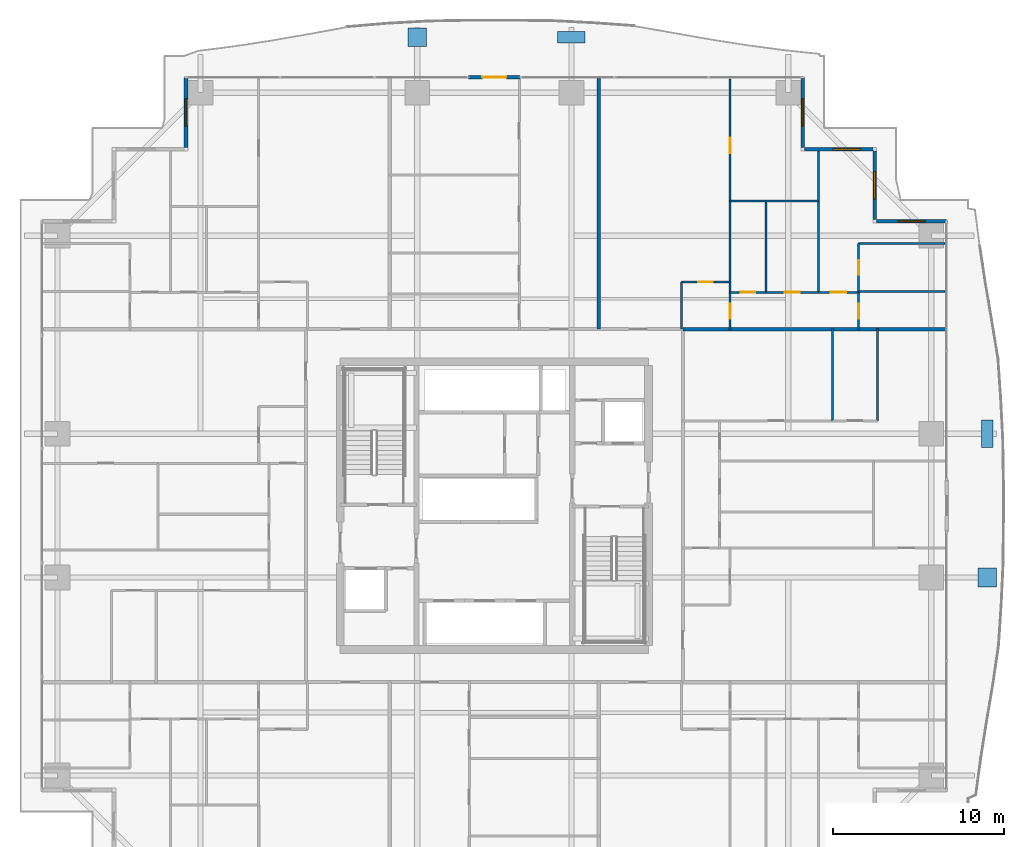
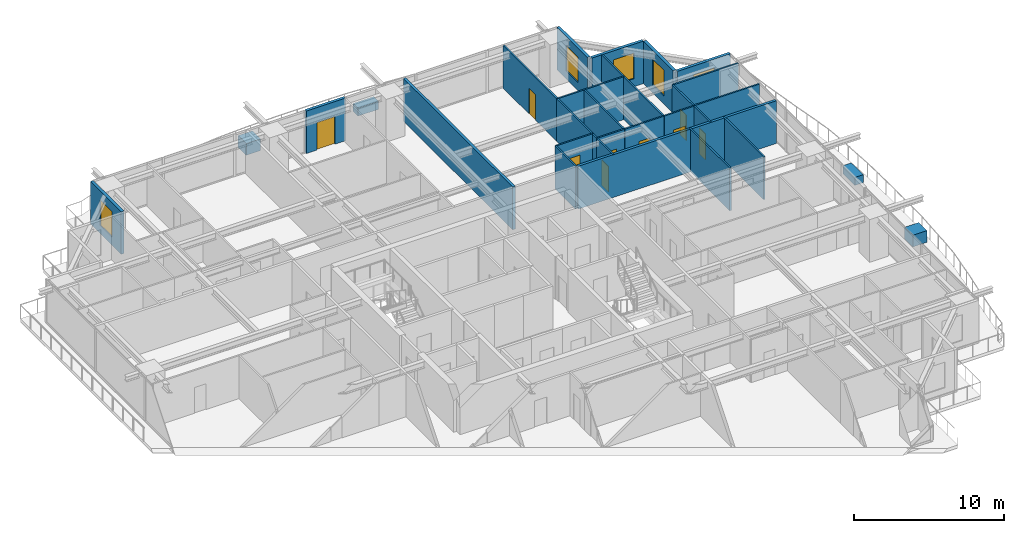
# One storey, part 31 of 37: 25 walls, 9 doors, 5 windows, 4 discrete accessories, 14 openings.
"""IFC4 building model written with IfcOpenShell, lengths in metres."""

from ifc_helpers import new_model, si_unit, direction, frame, frame_2d, origin, origin_2d, place, context, subcontext, project, spatial, rectangle, extrude, source, transform, mapped, material, layer, layer_set, type_object, element, fill, save


model = new_model("IFC4")

# Units and contexts
model_context = context("Model", 3, precision=1e-05, world=origin(), true_north=direction((0.0, 1.0)))
body_context = subcontext(model_context, "Body", "Model", "MODEL_VIEW")
ifc_project = project(units=[si_unit("LENGTHUNIT", "METRE"), si_unit("AREAUNIT", "SQUARE_METRE"), si_unit("VOLUMEUNIT", "CUBIC_METRE"), si_unit("PLANEANGLEUNIT", "RADIAN"), si_unit("MASSUNIT", "GRAM", prefix="KILO")], contexts=[model_context])

# Site, building, storey
site_placement = place(None, origin())
site = spatial("IfcSite", under=ifc_project, at=site_placement, CompositionType="ELEMENT")
building_placement = place(site_placement, origin())
building = spatial("IfcBuilding", under=site, at=building_placement, Name="Serunith Strait Residences", CompositionType="ELEMENT")
storey_placement = place(building_placement, frame((0.0, 0.0, 26.699951171875)))
storey = spatial("IfcBuildingStorey", under=building, at=storey_placement, Name="L05", CompositionType="ELEMENT", Elevation=26.699951171875)

# Wall, opening, window
ifc_material_1 = material(Name="Pale-Champagne Aluminium Insulated Panel", Category="aluminium")
ifc_layer_1 = layer(ifc_material_1, 0.219970703125, Name="Pale-Champagne Aluminium Insulated Panel")
ifc_layer_set_1 = layer_set([ifc_layer_1], Name="Pale-Champagne Aluminium Insulated Panel")
wall_type_1 = type_object("IfcWallType", Name="EW-ALUM-220", PredefinedType="ELEMENTEDWALL", material=ifc_layer_set_1)
wall_1_placement = place(storey_placement, frame((58.800048828125, 41.800048828125, 0.0), z_axis=(0.0, 0.0, 1.0), x_axis=(-1.0, 0.0, 0.0)))
wall_1 = element("IfcWall", 1, at=wall_1_placement, inside=storey, type_object=wall_type_1, Name="L05 Girih Serrated Corner Wall 07", PredefinedType="ELEMENTEDWALL", context=body_context, shape_type="SweptSolid", body=[
    extrude(rectangle(XDim=4.090087890625, YDim=0.219970703125, at=frame_2d((2.044921875, 0.0))), origin(), (0.0, 0.0, 1.0), 3.47509765625),
])
opening_1_placement = place(wall_1_placement, frame((1.2451171875, 0.0, 0.64990234375)))
opening_1 = element("IfcOpeningElement", 2, at=opening_1_placement, cuts=wall_1, Name="Opening W-02", PredefinedType="OPENING", context=body_context, shape_type="SweptSolid", body=[
    extrude(rectangle(XDim=1.60009765625, YDim=2.10009765625, at=frame_2d((0.800048828125, 1.050048828125))), frame((0.0, 0.1201171875, 0.0), z_axis=(0.0, -1.0, 0.0), x_axis=(1.0, 0.0, 0.0)), (0.0, 0.0, 1.0), 0.239990234375),
])
ifc_material_2 = material(Name="Ceramic-Fritted Operable Aluminium Window Glass", Category="aluminium")
window_type = type_object("IfcWindowType", Name="WIN-C2", PartitioningType="DOUBLE_PANEL_VERTICAL", PredefinedType="WINDOW", material=ifc_material_2)
shared_shape_1 = source(origin(), body_context, "Body", "SweptSolid", [
    extrude(rectangle(XDim=1.60009765625, YDim=2.10009765625, at=frame_2d((0.800048828125, 1.050048828125))), frame((0.0, 0.030029296875, 0.0), z_axis=(0.0, -1.0, 0.0), x_axis=(1.0, 0.0, 0.0)), (0.0, 0.0, 1.0), 0.06005859375),
])
window_1_placement = place(opening_1_placement, origin())
window_1 = element("IfcWindow", 3, at=window_1_placement, inside=storey, type_object=window_type, Name="L05 Corner Operable Fritted Window 07", OverallHeight=2.10009765625, OverallWidth=1.60009765625, PartitioningType="SINGLE_PANEL", PredefinedType="WINDOW", context=body_context, shape_type="MappedRepresentation", body=[
    mapped(shared_shape_1, transform((0.0, 0.0, 0.0), scale=1.0)),
])
fill(opening_1, window_1)

wall_2_placement = place(storey_placement, frame((54.60009765625, 41.909912109375, 0.0), z_axis=(0.0, 0.0, 1.0), x_axis=(0.0, 1.0, 0.0)))
wall_2 = element("IfcWall", 4, at=wall_2_placement, inside=storey, type_object=wall_type_1, Name="L05 Girih Serrated Corner Wall 08", PredefinedType="ELEMENTEDWALL", context=body_context, shape_type="SweptSolid", body=[
    extrude(rectangle(XDim=3.97998046875, YDim=0.219970703125, at=frame_2d((1.989990234375, 0.0))), origin(), (0.0, 0.0, 1.0), 3.47509765625),
])
opening_2_placement = place(wall_2_placement, frame((1.18994140625, 0.0, 0.64990234375)))
opening_2 = element("IfcOpeningElement", 5, at=opening_2_placement, cuts=wall_2, Name="Opening W-02", PredefinedType="OPENING", context=body_context, shape_type="SweptSolid", body=[
    extrude(rectangle(XDim=1.60009765625, YDim=2.10009765625, at=frame_2d((0.800048828125, 1.050048828125))), frame((0.0, 0.1201171875, 0.0), z_axis=(0.0, -1.0, 0.0), x_axis=(1.0, 0.0, 0.0)), (0.0, 0.0, 1.0), 0.239990234375),
])
window_2_placement = place(opening_2_placement, origin())
window_2 = element("IfcWindow", 6, at=window_2_placement, inside=storey, type_object=window_type, Name="L05 Corner Operable Fritted Window 08", OverallHeight=2.10009765625, OverallWidth=1.60009765625, PartitioningType="SINGLE_PANEL", PredefinedType="WINDOW", context=body_context, shape_type="MappedRepresentation", body=[
    mapped(shared_shape_1, transform((0.0, 0.0, 0.0), scale=1.0)),
])
fill(opening_2, window_2)

wall_3_placement = place(storey_placement, frame((54.489990234375, 46.0, 0.0), z_axis=(0.0, 0.0, 1.0), x_axis=(-1.0, 0.0, 0.0)))
wall_3 = element("IfcWall", 7, at=wall_3_placement, inside=storey, type_object=wall_type_1, Name="L05 Girih Serrated Corner Wall 09", PredefinedType="ELEMENTEDWALL", context=body_context, shape_type="SweptSolid", body=[
    extrude(rectangle(XDim=3.97998046875, YDim=0.219970703125, at=frame_2d((1.989990234375, 0.0))), origin(), (0.0, 0.0, 1.0), 3.47509765625),
])
opening_3_placement = place(wall_3_placement, frame((0.714111328125, 0.0, 0.64990234375)))
opening_3 = element("IfcOpeningElement", 8, at=opening_3_placement, cuts=wall_3, Name="Opening W-02", PredefinedType="OPENING", context=body_context, shape_type="SweptSolid", body=[
    extrude(rectangle(XDim=1.60009765625, YDim=2.10009765625, at=frame_2d((0.800048828125, 1.050048828125))), frame((0.0, 0.1201171875, 0.0), z_axis=(0.0, -1.0, 0.0), x_axis=(1.0, 0.0, 0.0)), (0.0, 0.0, 1.0), 0.239990234375),
])
window_3_placement = place(opening_3_placement, origin())
window_3 = element("IfcWindow", 9, at=window_3_placement, inside=storey, type_object=window_type, Name="L05 Corner Operable Fritted Window 09", OverallHeight=2.10009765625, OverallWidth=1.60009765625, PartitioningType="SINGLE_PANEL", PredefinedType="WINDOW", context=body_context, shape_type="MappedRepresentation", body=[
    mapped(shared_shape_1, transform((0.0, 0.0, 0.0), scale=1.0)),
])
fill(opening_3, window_3)

wall_4_placement = place(storey_placement, frame((50.39990234375, 46.110107421875, 0.0), z_axis=(0.0, 0.0, 1.0), x_axis=(0.0, 1.0, 0.0)))
wall_4 = element("IfcWall", 10, at=wall_4_placement, inside=storey, type_object=wall_type_1, Name="L05 Girih Serrated Corner Wall 10", PredefinedType="ELEMENTEDWALL", context=body_context, shape_type="SweptSolid", body=[
    extrude(rectangle(XDim=4.08984375, YDim=0.219970703125, at=frame_2d((2.044921875, 0.0))), origin(), (0.0, 0.0, 1.0), 3.47509765625),
])
opening_4_placement = place(wall_4_placement, frame((1.2451171875, 0.0, 0.64990234375)))
opening_4 = element("IfcOpeningElement", 11, at=opening_4_placement, cuts=wall_4, Name="Opening W-02", PredefinedType="OPENING", context=body_context, shape_type="SweptSolid", body=[
    extrude(rectangle(XDim=1.60009765625, YDim=2.10009765625, at=frame_2d((0.800048828125, 1.050048828125))), frame((0.0, 0.1201171875, 0.0), z_axis=(0.0, -1.0, 0.0), x_axis=(1.0, 0.0, 0.0)), (0.0, 0.0, 1.0), 0.239990234375),
])
window_4_placement = place(opening_4_placement, origin())
window_4 = element("IfcWindow", 12, at=window_4_placement, inside=storey, type_object=window_type, Name="L05 Corner Operable Fritted Window 10", OverallHeight=2.10009765625, OverallWidth=1.60009765625, PartitioningType="SINGLE_PANEL", PredefinedType="WINDOW", context=body_context, shape_type="MappedRepresentation", body=[
    mapped(shared_shape_1, transform((0.0, 0.0, 0.0), scale=1.0)),
])
fill(opening_4, window_4)

# Wall, opening, door
wall_5_placement = place(storey_placement, frame((33.89990234375, 50.199951171875, 0.0), z_axis=(0.0, 0.0, 1.0), x_axis=(-1.0, 0.0, 0.0)))
wall_5 = element("IfcWall", 13, at=wall_5_placement, inside=storey, type_object=wall_type_1, Name="L05 N Facade Pier Wall", PredefinedType="ELEMENTEDWALL", context=body_context, shape_type="SweptSolid", body=[
    extrude(rectangle(XDim=3.0, YDim=0.219970703125, at=frame_2d((1.5, 0.0))), origin(), (0.0, 0.0, 1.0), 3.47509765625),
])
opening_5_placement = place(wall_5_placement, frame((0.800048828125, 0.0, 0.0)))
opening_5 = element("IfcOpeningElement", 14, at=opening_5_placement, cuts=wall_5, Name="Opening ED-04", PredefinedType="OPENING", context=body_context, shape_type="SweptSolid", body=[
    extrude(rectangle(XDim=1.39990234375, YDim=2.25, at=frame_2d((0.699951171875, 1.125))), frame((0.0, 0.1201171875, 0.0), z_axis=(0.0, -1.0, 0.0), x_axis=(1.0, 0.0, 0.0)), (0.0, 0.0, 1.0), 0.239990234375),
])
ifc_material_3 = material(Name="Thermally-Broken Aluminium Sliding Balcony Door", Category="aluminium")
door_type_1 = type_object("IfcDoorType", Name="ED-BALC-1400", OperationType="NOTDEFINED", PredefinedType="DOOR", material=ifc_material_3)
shared_shape_2 = source(origin(), body_context, "Body", "SweptSolid", [
    extrude(rectangle(XDim=1.39990234375, YDim=2.25, at=frame_2d((0.699951171875, 1.125))), frame((0.0, 0.02490234375, 0.0), z_axis=(0.0, -1.0, 0.0), x_axis=(1.0, 0.0, 0.0)), (0.0, 0.0, 1.0), 0.050048828125),
])
door_1_placement = place(opening_5_placement, origin())
door_1 = element("IfcDoor", 15, at=door_1_placement, inside=storey, type_object=door_type_1, Name="L05 N Vertical-Forest Balcony Door", OperationType="SLIDING_TO_LEFT", OverallHeight=2.25, OverallWidth=1.39990234375, PredefinedType="DOOR", context=body_context, shape_type="MappedRepresentation", body=[
    mapped(shared_shape_2, transform((0.0, 0.0, 0.0), scale=1.0)),
])
fill(opening_5, door_1)

# Wall, opening, window
wall_6_placement = place(storey_placement, frame((14.39990234375, 50.199951171875, 0.0), z_axis=(0.0, 0.0, 1.0), x_axis=(0.0, -1.0, 0.0)))
wall_6 = element("IfcWall", 16, at=wall_6_placement, inside=storey, type_object=wall_type_1, Name="L05 Girih Serrated Corner Wall 12", PredefinedType="ELEMENTEDWALL", context=body_context, shape_type="SweptSolid", body=[
    extrude(rectangle(XDim=4.08984375, YDim=0.219970703125, at=frame_2d((2.044921875, 0.0))), origin(), (0.0, 0.0, 1.0), 3.47509765625),
])
opening_6_placement = place(wall_6_placement, frame((1.2451171875, 0.0, 0.64990234375)))
opening_6 = element("IfcOpeningElement", 17, at=opening_6_placement, cuts=wall_6, Name="Opening W-02", PredefinedType="OPENING", context=body_context, shape_type="SweptSolid", body=[
    extrude(rectangle(XDim=1.60009765625, YDim=2.10009765625, at=frame_2d((0.800048828125, 1.050048828125))), frame((0.0, 0.1201171875, 0.0), z_axis=(0.0, -1.0, 0.0), x_axis=(1.0, 0.0, 0.0)), (0.0, 0.0, 1.0), 0.239990234375),
])
window_5_placement = place(opening_6_placement, origin())
window_5 = element("IfcWindow", 18, at=window_5_placement, inside=storey, type_object=window_type, Name="L05 Corner Operable Fritted Window 12", OverallHeight=2.10009765625, OverallWidth=1.60009765625, PartitioningType="SINGLE_PANEL", PredefinedType="WINDOW", context=body_context, shape_type="MappedRepresentation", body=[
    mapped(shared_shape_1, transform((0.0, 0.0, 0.0), scale=1.0)),
])
fill(opening_6, window_5)

# Wall, opening, door
ifc_material_4 = material(Name="Lightweight steel-stud gypsum partition", Category="steel")
ifc_layer_2 = layer(ifc_material_4, 0.1201171875, Name="Lightweight steel-stud gypsum partition")
ifc_layer_set_2 = layer_set([ifc_layer_2], Name="Lightweight steel-stud gypsum partition")
wall_type_2 = type_object("IfcWallType", Name="IW-PART-120", PredefinedType="PARTITIONING", material=ifc_layer_set_2)
wall_7_placement = place(storey_placement, frame((43.31005859375, 38.25, 0.0), z_axis=(0.0, 0.0, 1.0), x_axis=(1.0, 0.0, 0.0)))
wall_7 = element("IfcWall", 19, at=wall_7_placement, inside=storey, type_object=wall_type_2, Name="L05 Partition Wall 086", PredefinedType="PARTITIONING", context=body_context, shape_type="SweptSolid", body=[
    extrude(rectangle(XDim=2.849853515625, YDim=0.1201171875, at=frame_2d((1.4248046875, 0.0))), origin(), (0.0, 0.0, 1.0), 3.489990234375),
])
opening_7_placement = place(wall_7_placement, frame((1.0, 0.0, 0.0)))
opening_7 = element("IfcOpeningElement", 20, at=opening_7_placement, cuts=wall_7, Name="Opening D-RM850", PredefinedType="OPENING", context=body_context, shape_type="SweptSolid", body=[
    extrude(rectangle(XDim=0.85009765625, YDim=2.10009765625, at=frame_2d((0.425048828125, 1.050048828125))), frame((0.0, 0.070068359375, 0.0), z_axis=(0.0, -1.0, 0.0), x_axis=(1.0, 0.0, 0.0)), (0.0, 0.0, 1.0), 0.14013671875),
])
ifc_material_5 = material(Name="Engineered timber flush study and kitchen door", Category="wood")
door_type_2 = type_object("IfcDoorType", Name="ID-ROOM-850", OperationType="NOTDEFINED", PredefinedType="DOOR", material=ifc_material_5)
shared_shape_3 = source(origin(), body_context, "Body", "SweptSolid", [
    extrude(rectangle(XDim=0.85009765625, YDim=2.10009765625, at=frame_2d((0.425048828125, 1.050048828125))), frame((0.0, 0.02490234375, 0.0), z_axis=(0.0, -1.0, 0.0), x_axis=(1.0, 0.0, 0.0)), (0.0, 0.0, 1.0), 0.050048828125),
])
door_2_placement = place(opening_7_placement, origin())
door_2 = element("IfcDoor", 21, at=door_2_placement, inside=storey, type_object=door_type_2, Name="L05 Kitchen 0506 Door", OperationType="SINGLE_SWING_LEFT", OverallHeight=2.10009765625, OverallWidth=0.85009765625, PredefinedType="DOOR", context=body_context, shape_type="MappedRepresentation", body=[
    mapped(shared_shape_3, transform((0.0, 0.0, 0.0), scale=1.0)),
])
fill(opening_7, door_2)

# Wall
wall_8_placement = place(storey_placement, frame((43.31005859375, 38.25, 0.0), z_axis=(0.0, 0.0, 1.0), x_axis=(0.0, -1.0, 0.0)))
element("IfcWall", 22, at=wall_8_placement, inside=storey, type_object=wall_type_2, Name="L05 Partition Wall 087", PredefinedType="PARTITIONING", context=body_context, shape_type="SweptSolid", body=[
    extrude(rectangle(XDim=2.748046875, YDim=0.1201171875, at=frame_2d((1.3740234375, 0.0))), origin(), (0.0, 0.0, 1.0), 3.489990234375),
])

# Wall, opening, door
wall_9_placement = place(storey_placement, frame((46.159912109375, 37.64990234375, 0.0), z_axis=(0.0, 0.0, 1.0), x_axis=(0.0, -1.0, 0.0)))
wall_9 = element("IfcWall", 23, at=wall_9_placement, inside=storey, type_object=wall_type_2, Name="L05 Partition Wall 088", PredefinedType="PARTITIONING", context=body_context, shape_type="SweptSolid", body=[
    extrude(rectangle(XDim=2.2099609375, YDim=0.1201171875, at=frame_2d((1.10498046875, 0.0))), origin(), (0.0, 0.0, 1.0), 3.489990234375),
])
opening_8_placement = place(wall_9_placement, frame((0.655029296875, 0.0, 0.0)))
opening_8 = element("IfcOpeningElement", 24, at=opening_8_placement, cuts=wall_9, Name="Opening D-RM900", PredefinedType="OPENING", context=body_context, shape_type="SweptSolid", body=[
    extrude(rectangle(XDim=0.89990234375, YDim=2.10009765625, at=frame_2d((0.449951171875, 1.050048828125))), frame((0.0, 0.070068359375, 0.0), z_axis=(0.0, -1.0, 0.0), x_axis=(1.0, 0.0, 0.0)), (0.0, 0.0, 1.0), 0.14013671875),
])
ifc_material_6 = material(Name="Engineered timber flush bedroom door", Category="wood")
door_type_3 = type_object("IfcDoorType", Name="ID-ROOM-900", OperationType="NOTDEFINED", PredefinedType="DOOR", material=ifc_material_6)
shared_shape_4 = source(origin(), body_context, "Body", "SweptSolid", [
    extrude(rectangle(XDim=0.89990234375, YDim=2.10009765625, at=frame_2d((0.449951171875, 1.050048828125))), frame((0.0, 0.02490234375, 0.0), z_axis=(0.0, -1.0, 0.0), x_axis=(1.0, 0.0, 0.0)), (0.0, 0.0, 1.0), 0.050048828125),
])
door_3_placement = place(opening_8_placement, origin())
door_3 = element("IfcDoor", 25, at=door_3_placement, inside=storey, type_object=door_type_3, Name="L05 Hall E 0506 Door", OperationType="SINGLE_SWING_RIGHT", OverallHeight=2.10009765625, OverallWidth=0.89990234375, PredefinedType="DOOR", context=body_context, shape_type="MappedRepresentation", body=[
    mapped(shared_shape_4, transform((0.0, 0.0, 0.0), scale=1.0)),
])
fill(opening_8, door_3)

wall_10_placement = place(storey_placement, frame((46.159912109375, 50.10498046875, 0.0), z_axis=(0.0, 0.0, 1.0), x_axis=(0.0, -1.0, 0.0)))
wall_10 = element("IfcWall", 26, at=wall_10_placement, inside=storey, type_object=wall_type_2, Name="L05 Partition Wall 089", PredefinedType="PARTITIONING", context=body_context, shape_type="SweptSolid", body=[
    extrude(rectangle(XDim=7.135986328125, YDim=0.1201171875, at=frame_2d((3.56787109375, 0.0))), origin(), (0.0, 0.0, 1.0), 3.489990234375),
])
opening_9_placement = place(wall_10_placement, frame((3.429931640625, 0.0, 0.0)))
opening_9 = element("IfcOpeningElement", 27, at=opening_9_placement, cuts=wall_10, Name="Opening D-RM900", PredefinedType="OPENING", context=body_context, shape_type="SweptSolid", body=[
    extrude(rectangle(XDim=0.89990234375, YDim=2.10009765625, at=frame_2d((0.449951171875, 1.050048828125))), frame((0.0, 0.070068359375, 0.0), z_axis=(0.0, -1.0, 0.0), x_axis=(1.0, 0.0, 0.0)), (0.0, 0.0, 1.0), 0.14013671875),
])
door_4_placement = place(opening_9_placement, origin())
door_4 = element("IfcDoor", 28, at=door_4_placement, inside=storey, type_object=door_type_3, Name="L05 Formal Dining Room 1 0506 Door", OperationType="SINGLE_SWING_LEFT", OverallHeight=2.10009765625, OverallWidth=0.89990234375, PredefinedType="DOOR", context=body_context, shape_type="MappedRepresentation", body=[
    mapped(shared_shape_4, transform((0.0, 0.0, 0.0), scale=1.0)),
])
fill(opening_9, door_4)

# Walls
wall_11_placement = place(storey_placement, frame((46.159912109375, 42.967041015625, 0.0), z_axis=(0.0, 0.0, 1.0), x_axis=(0.0, -1.0, 0.0)))
element("IfcWall", 29, at=wall_11_placement, inside=storey, type_object=wall_type_2, Name="L05 Partition Wall 090", PredefinedType="PARTITIONING", context=body_context, shape_type="SweptSolid", body=[
    extrude(rectangle(XDim=5.31494140625, YDim=0.1201171875, at=frame_2d((2.657470703125, 0.0))), origin(), (0.0, 0.0, 1.0), 3.489990234375),
])
wall_12_placement = place(storey_placement, frame((46.159912109375, 42.968994140625, 0.0), z_axis=(0.0, 0.0, 1.0), x_axis=(1.0, 0.0, 0.0)))
element("IfcWall", 30, at=wall_12_placement, inside=storey, type_object=wall_type_2, Name="L05 Partition Wall 091", PredefinedType="PARTITIONING", context=body_context, shape_type="SweptSolid", body=[
    extrude(rectangle(XDim=5.150146484375, YDim=0.1201171875, at=frame_2d((2.5751953125, 0.0))), origin(), (0.0, 0.0, 1.0), 3.489990234375),
])
wall_13_placement = place(storey_placement, frame((51.31005859375, 45.905029296875, 0.0), z_axis=(0.0, 0.0, 1.0), x_axis=(0.0, -1.0, 0.0)))
element("IfcWall", 31, at=wall_13_placement, inside=storey, type_object=wall_type_2, Name="L05 Partition Wall 092", PredefinedType="PARTITIONING", context=body_context, shape_type="SweptSolid", body=[
    extrude(rectangle(XDim=8.255126953125, YDim=0.1201171875, at=frame_2d((4.12744140625, 0.0))), origin(), (0.0, 0.0, 1.0), 3.489990234375),
])
wall_14_placement = place(storey_placement, frame((48.260009765625, 42.968994140625, 0.0), z_axis=(0.0, 0.0, 1.0), x_axis=(0.0, -1.0, 0.0)))
element("IfcWall", 32, at=wall_14_placement, inside=storey, type_object=wall_type_2, Name="L05 Partition Wall 093", PredefinedType="PARTITIONING", context=body_context, shape_type="SweptSolid", body=[
    extrude(rectangle(XDim=5.319091796875, YDim=0.1201171875, at=frame_2d((2.65966796875, 0.0))), origin(), (0.0, 0.0, 1.0), 3.489990234375),
])

# Wall, opening, door
wall_15_placement = place(storey_placement, frame((46.159912109375, 37.64990234375, 0.0), z_axis=(0.0, 0.0, 1.0), x_axis=(1.0, 0.0, 0.0)))
wall_15 = element("IfcWall", 33, at=wall_15_placement, inside=storey, type_object=wall_type_2, Name="L05 Partition Wall 094", PredefinedType="PARTITIONING", context=body_context, shape_type="SweptSolid", body=[
    extrude(rectangle(XDim=2.10009765625, YDim=0.1201171875, at=frame_2d((1.050048828125, 0.0))), origin(), (0.0, 0.0, 1.0), 3.489990234375),
])
opening_10_placement = place(wall_15_placement, frame((0.625, 0.0, 0.0)))
opening_10 = element("IfcOpeningElement", 34, at=opening_10_placement, cuts=wall_15, Name="Opening D-BTH850", PredefinedType="OPENING", context=body_context, shape_type="SweptSolid", body=[
    extrude(rectangle(XDim=0.85009765625, YDim=2.10009765625, at=frame_2d((0.425048828125, 1.050048828125))), frame((0.0, 0.070068359375, 0.0), z_axis=(0.0, -1.0, 0.0), x_axis=(1.0, 0.0, 0.0)), (0.0, 0.0, 1.0), 0.14013671875),
])
ifc_material_7 = material(Name="Moisture-resistant timber bathroom door", Category="wood")
door_type_4 = type_object("IfcDoorType", Name="ID-BATH-850", OperationType="NOTDEFINED", PredefinedType="DOOR", material=ifc_material_7)
door_5_placement = place(opening_10_placement, origin())
door_5 = element("IfcDoor", 35, at=door_5_placement, inside=storey, type_object=door_type_4, Name="L05 Bathroom 0506 Door", OperationType="SINGLE_SWING_RIGHT", OverallHeight=2.10009765625, OverallWidth=0.85009765625, PredefinedType="DOOR", context=body_context, shape_type="MappedRepresentation", body=[
    mapped(shared_shape_3, transform((0.0, 0.0, 0.0), scale=1.0)),
])
fill(opening_10, door_5)

wall_16_placement = place(storey_placement, frame((48.261962890625, 37.64990234375, 0.0), z_axis=(0.0, 0.0, 1.0), x_axis=(1.0, 0.0, 0.0)))
wall_16 = element("IfcWall", 36, at=wall_16_placement, inside=storey, type_object=wall_type_2, Name="L05 Partition Wall 095", PredefinedType="PARTITIONING", context=body_context, shape_type="SweptSolid", body=[
    extrude(rectangle(XDim=3.048095703125, YDim=0.1201171875, at=frame_2d((1.52392578125, 0.0))), origin(), (0.0, 0.0, 1.0), 3.489990234375),
])
opening_11_placement = place(wall_16_placement, frame((1.09912109375, 0.0, 0.0)))
opening_11 = element("IfcOpeningElement", 37, at=opening_11_placement, cuts=wall_16, Name="Opening D-RM850", PredefinedType="OPENING", context=body_context, shape_type="SweptSolid", body=[
    extrude(rectangle(XDim=0.85009765625, YDim=2.10009765625, at=frame_2d((0.425048828125, 1.050048828125))), frame((0.0, 0.070068359375, 0.0), z_axis=(0.0, -1.0, 0.0), x_axis=(1.0, 0.0, 0.0)), (0.0, 0.0, 1.0), 0.14013671875),
])
door_6_placement = place(opening_11_placement, origin())
door_6 = element("IfcDoor", 38, at=door_6_placement, inside=storey, type_object=door_type_2, Name="L05 Formal Dining Room 0506 Door", OperationType="SINGLE_SWING_LEFT", OverallHeight=2.10009765625, OverallWidth=0.85009765625, PredefinedType="DOOR", context=body_context, shape_type="MappedRepresentation", body=[
    mapped(shared_shape_3, transform((0.0, 0.0, 0.0), scale=1.0)),
])
fill(opening_11, door_6)

wall_17_placement = place(storey_placement, frame((51.31201171875, 37.64990234375, 0.0), z_axis=(0.0, 0.0, 1.0), x_axis=(1.0, 0.0, 0.0)))
wall_17 = element("IfcWall", 39, at=wall_17_placement, inside=storey, type_object=wall_type_2, Name="L05 Partition Wall 096", PredefinedType="PARTITIONING", context=body_context, shape_type="SweptSolid", body=[
    extrude(rectangle(XDim=2.347900390625, YDim=0.1201171875, at=frame_2d((1.173828125, 0.0))), origin(), (0.0, 0.0, 1.0), 3.489990234375),
])
opening_12_placement = place(wall_17_placement, frame((0.72412109375, 0.0, 0.0)))
opening_12 = element("IfcOpeningElement", 40, at=opening_12_placement, cuts=wall_17, Name="Opening D-RM900", PredefinedType="OPENING", context=body_context, shape_type="SweptSolid", body=[
    extrude(rectangle(XDim=0.89990234375, YDim=2.10009765625, at=frame_2d((0.449951171875, 1.050048828125))), frame((0.0, 0.070068359375, 0.0), z_axis=(0.0, -1.0, 0.0), x_axis=(1.0, 0.0, 0.0)), (0.0, 0.0, 1.0), 0.14013671875),
])
door_7_placement = place(opening_12_placement, origin())
door_7 = element("IfcDoor", 41, at=door_7_placement, inside=storey, type_object=door_type_3, Name="L05 Master Bedroom E 0506 Door", OperationType="SINGLE_SWING_RIGHT", OverallHeight=2.10009765625, OverallWidth=0.89990234375, PredefinedType="DOOR", context=body_context, shape_type="MappedRepresentation", body=[
    mapped(shared_shape_4, transform((0.0, 0.0, 0.0), scale=1.0)),
])
fill(opening_12, door_7)

# Walls
wall_18_placement = place(storey_placement, frame((53.659912109375, 40.506103515625, 0.0), z_axis=(0.0, 0.0, 1.0), x_axis=(1.0, 0.0, 0.0)))
element("IfcWall", 42, at=wall_18_placement, inside=storey, type_object=wall_type_2, Name="L05 Partition Wall 097", PredefinedType="PARTITIONING", context=body_context, shape_type="SweptSolid", body=[
    extrude(rectangle(XDim=5.045166015625, YDim=0.1201171875, at=frame_2d((2.5224609375, 0.0))), origin(), (0.0, 0.0, 1.0), 3.489990234375),
])
wall_19_placement = place(storey_placement, frame((53.662109375, 37.697998046875, 0.0), z_axis=(0.0, 0.0, 1.0), x_axis=(1.0, 0.0, 0.0)))
element("IfcWall", 43, at=wall_19_placement, inside=storey, type_object=wall_type_2, Name="L05 Partition Wall 098", PredefinedType="PARTITIONING", context=body_context, shape_type="SweptSolid", body=[
    extrude(rectangle(XDim=5.04296875, YDim=0.1201171875, at=frame_2d((2.521484375, 0.0))), origin(), (0.0, 0.0, 1.0), 3.489990234375),
])

# Wall, opening, door
wall_20_placement = place(storey_placement, frame((53.659912109375, 40.506103515625, 0.0), z_axis=(0.0, 0.0, 1.0), x_axis=(0.0, -1.0, 0.0)))
wall_20 = element("IfcWall", 44, at=wall_20_placement, inside=storey, type_object=wall_type_2, Name="L05 Partition Wall 099", PredefinedType="PARTITIONING", context=body_context, shape_type="SweptSolid", body=[
    extrude(rectangle(XDim=2.80810546875, YDim=0.1201171875, at=frame_2d((1.404052734375, 0.0))), origin(), (0.0, 0.0, 1.0), 3.489990234375),
])
opening_13_placement = place(wall_20_placement, frame((0.97900390625, 0.0, 0.0)))
opening_13 = element("IfcOpeningElement", 45, at=opening_13_placement, cuts=wall_20, Name="Opening D-BTH850", PredefinedType="OPENING", context=body_context, shape_type="SweptSolid", body=[
    extrude(rectangle(XDim=0.85009765625, YDim=2.10009765625, at=frame_2d((0.425048828125, 1.050048828125))), frame((0.0, 0.070068359375, 0.0), z_axis=(0.0, -1.0, 0.0), x_axis=(1.0, 0.0, 0.0)), (0.0, 0.0, 1.0), 0.14013671875),
])
door_8_placement = place(opening_13_placement, origin())
door_8 = element("IfcDoor", 46, at=door_8_placement, inside=storey, type_object=door_type_4, Name="L05 En-suite Bathroom E 0506 Door", OperationType="SINGLE_SWING_LEFT", OverallHeight=2.10009765625, OverallWidth=0.85009765625, PredefinedType="DOOR", context=body_context, shape_type="MappedRepresentation", body=[
    mapped(shared_shape_3, transform((0.0, 0.0, 0.0), scale=1.0)),
])
fill(opening_13, door_8)

wall_21_placement = place(storey_placement, frame((53.659912109375, 37.64990234375, 0.0), z_axis=(0.0, 0.0, 1.0), x_axis=(0.0, -1.0, 0.0)))
wall_21 = element("IfcWall", 47, at=wall_21_placement, inside=storey, type_object=wall_type_2, Name="L05 Partition Wall 100", PredefinedType="PARTITIONING", context=body_context, shape_type="SweptSolid", body=[
    extrude(rectangle(XDim=2.2099609375, YDim=0.1201171875, at=frame_2d((1.10498046875, 0.0))), origin(), (0.0, 0.0, 1.0), 3.489990234375),
])
opening_14_placement = place(wall_21_placement, frame((0.679931640625, 0.0, 0.0)))
opening_14 = element("IfcOpeningElement", 48, at=opening_14_placement, cuts=wall_21, Name="Opening D-RM850", PredefinedType="OPENING", context=body_context, shape_type="SweptSolid", body=[
    extrude(rectangle(XDim=0.85009765625, YDim=2.10009765625, at=frame_2d((0.425048828125, 1.050048828125))), frame((0.0, 0.070068359375, 0.0), z_axis=(0.0, -1.0, 0.0), x_axis=(1.0, 0.0, 0.0)), (0.0, 0.0, 1.0), 0.14013671875),
])
door_9_placement = place(opening_14_placement, origin())
door_9 = element("IfcDoor", 49, at=door_9_placement, inside=storey, type_object=door_type_2, Name="L05 Wardrobe E 0506 Door", OperationType="SINGLE_SWING_RIGHT", OverallHeight=2.10009765625, OverallWidth=0.85009765625, PredefinedType="DOOR", context=body_context, shape_type="MappedRepresentation", body=[
    mapped(shared_shape_3, transform((0.0, 0.0, 0.0), scale=1.0)),
])
fill(opening_14, door_9)

# Walls
for number, where, z_axis, x_axis, name in (
    (50, (54.75, 30.14990234375, 0.0), (0.0, 0.0, 1.0), (0.0, 1.0, 0.0), "L05 Partition Wall 128"),
    (51, (52.133056640625, 30.14990234375, 0.0), (0.0, 0.0, 1.0), (0.0, 1.0, 0.0), "L05 Partition Wall 129"),
):
    element("IfcWall", number, at=place(storey_placement, frame(where, z_axis=z_axis, x_axis=x_axis)), inside=storey, type_object=wall_type_2, Name=name, PredefinedType="PARTITIONING", context=body_context, shape_type="SweptSolid", body=[
        extrude(rectangle(XDim=5.41015625, YDim=0.1201171875, at=frame_2d((2.705078125, 0.0))), origin(), (0.0, 0.0, 1.0), 3.489990234375),
    ])
ifc_material_8 = material(Name="Twin-stud acoustic gypsum board partition")
ifc_layer_3 = layer(ifc_material_8, 0.199951171875, Name="Twin-stud acoustic gypsum board partition")
ifc_layer_set_3 = layer_set([ifc_layer_3], Name="Twin-stud acoustic gypsum board partition")
wall_type_3 = type_object("IfcWallType", Name="IW-PARTY-200", PredefinedType="PARTITIONING", material=ifc_layer_set_3)
wall_22_placement = place(storey_placement, frame((38.5, 35.5, 0.0), z_axis=(0.0, 0.0, 1.0), x_axis=(0.0, 1.0, 0.0)))
element("IfcWall", 52, at=wall_22_placement, inside=storey, type_object=wall_type_3, Name="L05 Partition Wall 018", PredefinedType="PARTITIONING", context=body_context, shape_type="SweptSolid", body=[
    extrude(rectangle(XDim=14.617919921875, YDim=0.199951171875, at=frame_2d((7.30908203125, 0.0))), origin(), (0.0, 0.0, 1.0), 3.489990234375),
])
wall_23_placement = place(storey_placement, frame((43.39990234375, 35.5, 0.0), z_axis=(0.0, 0.0, 1.0), x_axis=(1.0, 0.0, 0.0)))
element("IfcWall", 53, at=wall_23_placement, inside=storey, type_object=wall_type_3, Name="L05 Partition Wall 022", PredefinedType="PARTITIONING", context=body_context, shape_type="SweptSolid", body=[
    extrude(rectangle(XDim=15.318115234375, YDim=0.199951171875, at=frame_2d((7.6591796875, 0.0))), origin(), (0.0, 0.0, 1.0), 3.489990234375),
])

# Discrete accessories
ifc_material_9 = material(Name="GFRC Root-Anchored Structural Planter")
discrete_accessory_type_1 = type_object("IfcDiscreteAccessoryType", Name="ACC-PLANTER-TREE", PredefinedType="USERDEFINED", material=ifc_material_9)
shared_shape_5 = source(origin(), body_context, "Body", "SweptSolid", [
    extrude(rectangle(XDim=1.10009765625, YDim=1.10009765625, at=origin_2d()), origin(), (0.0, 0.0, 1.0), 0.949951171875),
])
for number, where, z_axis, x_axis, name in (
    (54, (27.89990234375, 52.538818359375, -0.0498046875), (0.0, 0.0, 1.0), (-1.0, 0.0, 0.0), "L05 Vertical-Forest Tree Planter 06"),
    (55, (61.162109375, 21.0, -0.0498046875), (0.0, 0.0, 1.0), (0.0, 1.0, 0.0), "L05 Vertical-Forest Tree Planter 10"),
):
    element("IfcDiscreteAccessory", number, at=place(storey_placement, frame(where, z_axis=z_axis, x_axis=x_axis)), inside=storey, type_object=discrete_accessory_type_1, Name=name, ObjectType="PLANTER", PredefinedType="USERDEFINED", context=body_context, shape_type="MappedRepresentation", body=[
        mapped(shared_shape_5, transform((0.0, 0.0, 0.0), scale=1.0)),
    ])
ifc_material_10 = material(Name="GFRC Irrigated Shrub Trough Planter")
discrete_accessory_type_2 = type_object("IfcDiscreteAccessoryType", Name="ACC-PLANTER-SHRUB", PredefinedType="USERDEFINED", material=ifc_material_10)
shared_shape_6 = source(origin(), body_context, "Body", "SweptSolid", [
    extrude(rectangle(XDim=1.60009765625, YDim=0.64990234375, at=origin_2d()), origin(), (0.0, 0.0, 1.0), 0.64990234375),
])
for number, where, z_axis, x_axis, name in (
    (56, (36.89990234375, 52.537353515625, -0.0498046875), (0.0, 0.0, 1.0), (-1.0, 0.0, 0.0), "L05 Vertical-Forest Shrub Planter 07"),
    (57, (61.164794921875, 29.39990234375, -0.0498046875), (0.0, 0.0, 1.0), (0.0, 1.0, 0.0), "L05 Vertical-Forest Shrub Planter 11"),
):
    element("IfcDiscreteAccessory", number, at=place(storey_placement, frame(where, z_axis=z_axis, x_axis=x_axis)), inside=storey, type_object=discrete_accessory_type_2, Name=name, ObjectType="PLANTER", PredefinedType="USERDEFINED", context=body_context, shape_type="MappedRepresentation", body=[
        mapped(shared_shape_6, transform((0.0, 0.0, 0.0), scale=1.0)),
    ])

save(model, "model.ifc")
